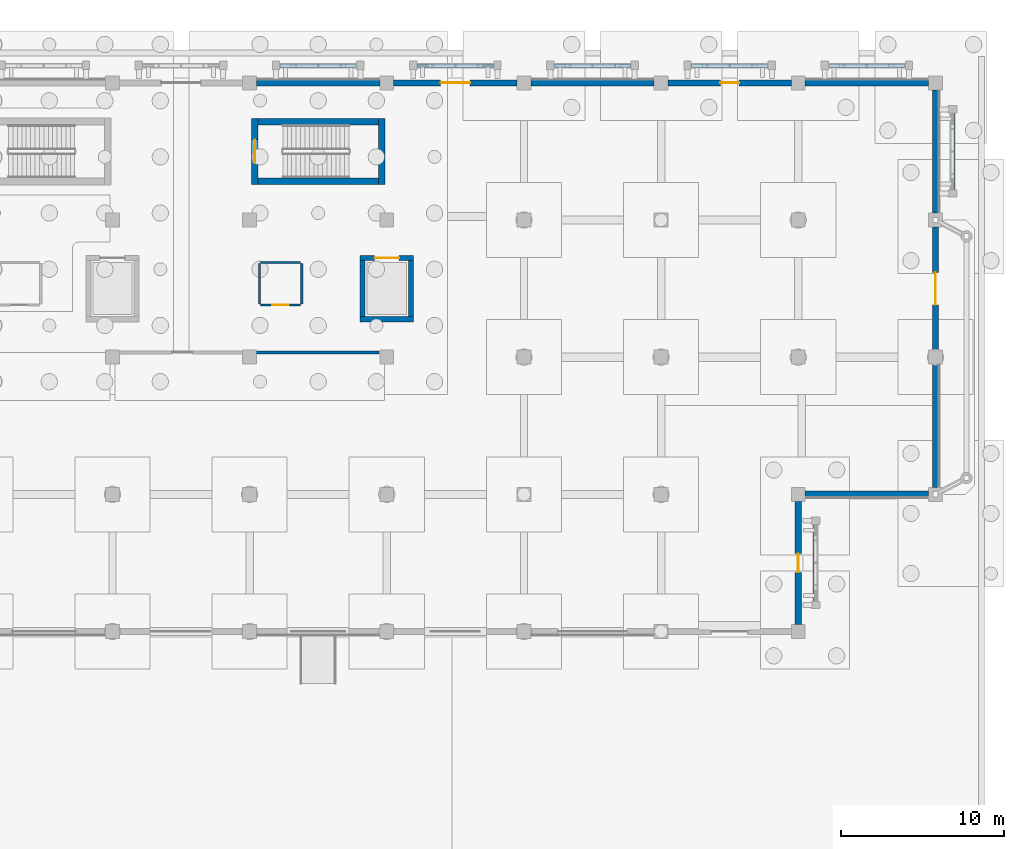
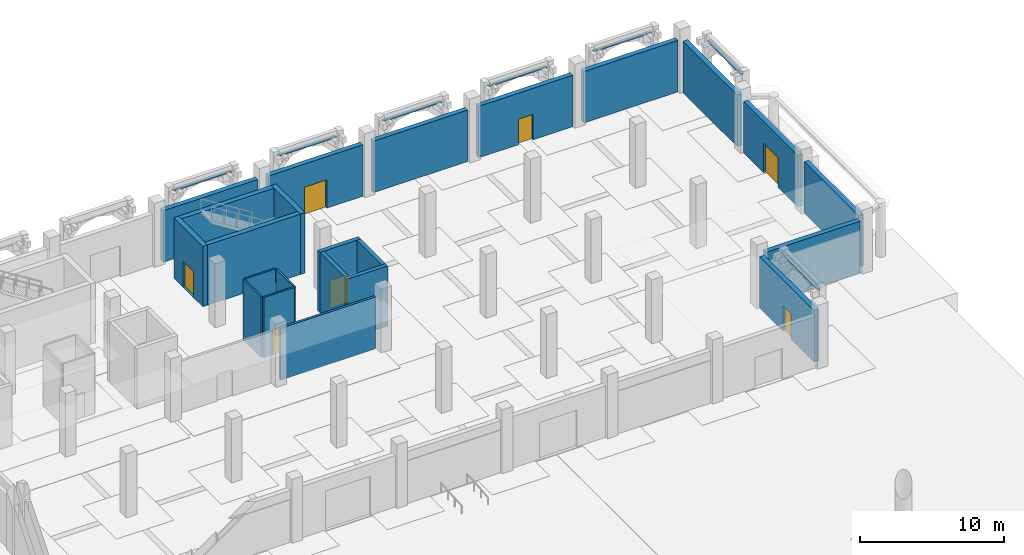
# One storey, part 73 of 98: 30 walls, 7 doors, 7 openings.
"""IFC4 building model written with IfcOpenShell, lengths in metres."""

from ifc_helpers import new_model, si_unit, direction, frame, frame_2d, origin, place, context, subcontext, project, spatial, rectangle, extrude, material, layer, layer_set, type_object, element, fill, save


model = new_model("IFC4")

# Units and contexts
model_context = context("Model", 3, precision=1e-05, world=origin(), true_north=direction((0.0, 1.0)))
body_context = subcontext(model_context, "Body", "Model", "MODEL_VIEW")
ifc_project = project(units=[si_unit("LENGTHUNIT", "METRE"), si_unit("AREAUNIT", "SQUARE_METRE"), si_unit("VOLUMEUNIT", "CUBIC_METRE"), si_unit("PLANEANGLEUNIT", "RADIAN"), si_unit("MASSUNIT", "GRAM", prefix="KILO")], contexts=[model_context])

# Site, building, storey
site_placement = place(None, origin())
site = spatial("IfcSite", under=ifc_project, at=site_placement, CompositionType="ELEMENT")
building_placement = place(site_placement, origin())
building = spatial("IfcBuilding", under=site, at=building_placement, Name="Xazarin Passage Department Store", CompositionType="ELEMENT")
storey_placement = place(building_placement, origin())
storey = spatial("IfcBuildingStorey", under=building, at=storey_placement, Name="L00", CompositionType="ELEMENT", Elevation=0.0)

# Walls
ifc_material_1 = material(Name="Buff Baku clay brick", Category="masonry")
ifc_layer_1 = layer(ifc_material_1, 0.18505859375)
ifc_layer_set_1 = layer_set([ifc_layer_1], Name="Buff Baku clay brick")
wall_type_1 = type_object("IfcWallType", Name="ARC-W-CMP185", PredefinedType="PARTITIONING", material=ifc_layer_set_1)
wall_1_placement = place(storey_placement, frame((127.919921875, 93.5, 0.0), z_axis=(0.0, 0.0, 1.0), x_axis=(1.0, 0.0, 0.0)))
element("IfcWall", 1, at=wall_1_placement, inside=storey, type_object=wall_type_1, Name="L00 Mechanical Plant Room Front Wall 0082", PredefinedType="PARTITIONING", context=body_context, shape_type="SweptSolid", body=[
    extrude(rectangle(XDim=7.610107421875, YDim=0.18505859375, at=frame_2d((3.80517578125, 0.0))), origin(), (0.0, 0.0, 1.0), 4.39990234375),
])
ifc_material_2 = material(Name="Concrete C35/45", Category="concrete")
ifc_layer_2 = layer(ifc_material_2, 0.3798828125)
ifc_layer_set_2 = layer_set([ifc_layer_2], Name="Concrete C35/45")
wall_type_2 = type_object("IfcWallType", Name="ARC-W-DCK380", PredefinedType="SOLIDWALL", material=ifc_layer_set_2)
for number, where, z_axis, x_axis, name in (
    (2, (161.625, 84.800048828125, 0.0), (0.0, 0.0, 1.0), (1.0, 0.0, 0.0), "L00 V4 Exterior Wall 254"),
    (3, (128.02490234375, 110.0, 0.0), (0.0, 0.0, 1.0), (1.0, 0.0, 0.0), "L00 V4 Exterior Wall 258"),
):
    element("IfcWall", number, at=place(storey_placement, frame(where, z_axis=z_axis, x_axis=x_axis)), inside=storey, type_object=wall_type_2, Name=name, PredefinedType="SOLIDWALL", context=body_context, shape_type="SweptSolid", body=[
        extrude(rectangle(XDim=7.550048828125, YDim=0.3798828125, at=frame_2d((3.77490234375, 0.0))), origin(), (0.0, 0.0, 1.0), 4.35009765625),
    ])

# Wall, opening, door
wall_2_placement = place(storey_placement, frame((136.425048828125, 110.0, 0.0), z_axis=(0.0, 0.0, 1.0), x_axis=(1.0, 0.0, 0.0)))
wall_2 = element("IfcWall", 4, at=wall_2_placement, inside=storey, type_object=wall_type_2, Name="L00 V4 Exterior Wall 259", PredefinedType="SOLIDWALL", context=body_context, shape_type="SweptSolid", body=[
    extrude(rectangle(XDim=7.550048828125, YDim=0.3798828125, at=frame_2d((3.77490234375, 0.0))), origin(), (0.0, 0.0, 1.0), 4.35009765625),
])
opening_1_placement = place(wall_2_placement, frame((2.875, 0.0, 0.0)))
opening_1 = element("IfcOpeningElement", 5, at=opening_1_placement, cuts=wall_2, Name="Opening ED4", PredefinedType="OPENING", context=body_context, shape_type="SweptSolid", body=[
    extrude(rectangle(XDim=1.800048828125, YDim=2.39990234375, at=frame_2d((0.89990234375, 1.199951171875))), frame((0.0, 0.199951171875, 0.0), z_axis=(0.0, -1.0, 0.0), x_axis=(1.0, 0.0, 0.0)), (0.0, 0.0, 1.0), 0.39990234375),
])
ifc_material_3 = material(Name="Bronze anodised aluminium", Category="aluminium")
door_type_1 = type_object("IfcDoorType", Name="ARC-DR-ENT180", OperationType="NOTDEFINED", PredefinedType="DOOR", material=ifc_material_3)
door_1_placement = place(opening_1_placement, origin())
door_1 = element("IfcDoor", 6, at=door_1_placement, inside=storey, type_object=door_type_1, Name="DR-EXT-027", OperationType="DOUBLE_DOOR_SINGLE_SWING", OverallHeight=2.39990234375, OverallWidth=1.800048828125, PredefinedType="DOOR", context=body_context, shape_type="SweptSolid", body=[
    extrude(rectangle(XDim=1.800048828125, YDim=2.39990234375, at=frame_2d((0.89990234375, 1.199951171875))), frame((0.0, 0.02490234375, 0.0), z_axis=(0.0, -1.0, 0.0), x_axis=(1.0, 0.0, 0.0)), (0.0, 0.0, 1.0), 0.050048828125),
])
fill(opening_1, door_1)

# Wall
wall_3_placement = place(storey_placement, frame((144.824951171875, 110.0, 0.0), z_axis=(0.0, 0.0, 1.0), x_axis=(1.0, 0.0, 0.0)))
element("IfcWall", 7, at=wall_3_placement, inside=storey, type_object=wall_type_2, Name="L00 V4 Exterior Wall 260", PredefinedType="SOLIDWALL", context=body_context, shape_type="SweptSolid", body=[
    extrude(rectangle(XDim=7.550048828125, YDim=0.3798828125, at=frame_2d((3.77490234375, 0.0))), origin(), (0.0, 0.0, 1.0), 4.35009765625),
])

# Wall, opening, door
wall_4_placement = place(storey_placement, frame((153.22509765625, 110.0, 0.0), z_axis=(0.0, 0.0, 1.0), x_axis=(1.0, 0.0, 0.0)))
wall_4 = element("IfcWall", 8, at=wall_4_placement, inside=storey, type_object=wall_type_2, Name="L00 V4 Exterior Wall 261", PredefinedType="SOLIDWALL", context=body_context, shape_type="SweptSolid", body=[
    extrude(rectangle(XDim=7.5498046875, YDim=0.3798828125, at=frame_2d((3.77490234375, 0.0))), origin(), (0.0, 0.0, 1.0), 4.35009765625),
])
opening_2_placement = place(wall_4_placement, frame((3.199951171875, 0.0, 0.0)))
opening_2 = element("IfcOpeningElement", 9, at=opening_2_placement, cuts=wall_4, Name="Opening ED7", PredefinedType="OPENING", context=body_context, shape_type="SweptSolid", body=[
    extrude(rectangle(XDim=1.14990234375, YDim=2.14990234375, at=frame_2d((0.574951171875, 1.074951171875))), frame((0.0, 0.199951171875, 0.0), z_axis=(0.0, -1.0, 0.0), x_axis=(1.0, 0.0, 0.0)), (0.0, 0.0, 1.0), 0.39990234375),
])
ifc_material_4 = material(Name="Steel S355", Category="steel")
door_type_2 = type_object("IfcDoorType", Name="ARC-DR-EXT115", OperationType="NOTDEFINED", PredefinedType="DOOR", material=ifc_material_4)
door_2_placement = place(opening_2_placement, origin())
door_2 = element("IfcDoor", 10, at=door_2_placement, inside=storey, type_object=door_type_2, Name="DR-EXT-028", OperationType="SINGLE_SWING_LEFT", OverallHeight=2.14990234375, OverallWidth=1.14990234375, PredefinedType="DOOR", context=body_context, shape_type="SweptSolid", body=[
    extrude(rectangle(XDim=1.14990234375, YDim=2.14990234375, at=frame_2d((0.574951171875, 1.074951171875))), frame((0.0, 0.02490234375, 0.0), z_axis=(0.0, -1.0, 0.0), x_axis=(1.0, 0.0, 0.0)), (0.0, 0.0, 1.0), 0.050048828125),
])
fill(opening_2, door_2)

# Wall
wall_5_placement = place(storey_placement, frame((161.625, 110.0, 0.0), z_axis=(0.0, 0.0, 1.0), x_axis=(1.0, 0.0, 0.0)))
element("IfcWall", 11, at=wall_5_placement, inside=storey, type_object=wall_type_2, Name="L00 V4 Exterior Wall 262", PredefinedType="SOLIDWALL", context=body_context, shape_type="SweptSolid", body=[
    extrude(rectangle(XDim=7.550048828125, YDim=0.3798828125, at=frame_2d((3.77490234375, 0.0))), origin(), (0.0, 0.0, 1.0), 4.35009765625),
])

# Wall, opening, door
wall_6_placement = place(storey_placement, frame((161.199951171875, 76.824951171875, 0.0), z_axis=(0.0, 0.0, 1.0), x_axis=(0.0, 1.0, 0.0)))
wall_6 = element("IfcWall", 12, at=wall_6_placement, inside=storey, type_object=wall_type_2, Name="L00 V4 Exterior Wall 267", PredefinedType="SOLIDWALL", context=body_context, shape_type="SweptSolid", body=[
    extrude(rectangle(XDim=7.550048828125, YDim=0.3798828125, at=frame_2d((3.77490234375, 0.0))), origin(), (0.0, 0.0, 1.0), 4.35009765625),
])
opening_3_placement = place(wall_6_placement, frame((3.199951171875, 0.0, 0.0)))
opening_3 = element("IfcOpeningElement", 13, at=opening_3_placement, cuts=wall_6, Name="Opening ED7", PredefinedType="OPENING", context=body_context, shape_type="SweptSolid", body=[
    extrude(rectangle(XDim=1.14990234375, YDim=2.14990234375, at=frame_2d((0.574951171875, 1.074951171875))), frame((0.0, 0.199951171875, 0.0), z_axis=(0.0, -1.0, 0.0), x_axis=(1.0, 0.0, 0.0)), (0.0, 0.0, 1.0), 0.39990234375),
])
door_3_placement = place(opening_3_placement, origin())
door_3 = element("IfcDoor", 14, at=door_3_placement, inside=storey, type_object=door_type_2, Name="DR-EXT-029", OperationType="SINGLE_SWING_RIGHT", OverallHeight=2.14990234375, OverallWidth=1.14990234375, PredefinedType="DOOR", context=body_context, shape_type="SweptSolid", body=[
    extrude(rectangle(XDim=1.14990234375, YDim=2.14990234375, at=frame_2d((0.574951171875, 1.074951171875))), frame((0.0, 0.02490234375, 0.0), z_axis=(0.0, -1.0, 0.0), x_axis=(1.0, 0.0, 0.0)), (0.0, 0.0, 1.0), 0.050048828125),
])
fill(opening_3, door_3)

# Wall
wall_7_placement = place(storey_placement, frame((169.60009765625, 85.22509765625, 0.0), z_axis=(0.0, 0.0, 1.0), x_axis=(0.0, 1.0, 0.0)))
element("IfcWall", 15, at=wall_7_placement, inside=storey, type_object=wall_type_2, Name="L00 V4 Exterior Wall 268", PredefinedType="SOLIDWALL", context=body_context, shape_type="SweptSolid", body=[
    extrude(rectangle(XDim=7.5498046875, YDim=0.3798828125, at=frame_2d((3.77490234375, 0.0))), origin(), (0.0, 0.0, 1.0), 4.35009765625),
])

# Wall, opening, door
wall_8_placement = place(storey_placement, frame((169.60009765625, 93.625, 0.0), z_axis=(0.0, 0.0, 1.0), x_axis=(0.0, 1.0, 0.0)))
wall_8 = element("IfcWall", 16, at=wall_8_placement, inside=storey, type_object=wall_type_2, Name="L00 V4 Exterior Wall 269", PredefinedType="SOLIDWALL", context=body_context, shape_type="SweptSolid", body=[
    extrude(rectangle(XDim=7.550048828125, YDim=0.3798828125, at=frame_2d((3.77490234375, 0.0))), origin(), (0.0, 0.0, 1.0), 4.35009765625),
])
opening_4_placement = place(wall_8_placement, frame((2.77490234375, 0.0, 0.0)))
opening_4 = element("IfcOpeningElement", 17, at=opening_4_placement, cuts=wall_8, Name="Opening ED3", PredefinedType="OPENING", context=body_context, shape_type="SweptSolid", body=[
    extrude(rectangle(XDim=2.0, YDim=2.5, at=frame_2d((1.0, 1.25))), frame((0.0, 0.199951171875, 0.0), z_axis=(0.0, -1.0, 0.0), x_axis=(1.0, 0.0, 0.0)), (0.0, 0.0, 1.0), 0.39990234375),
])
door_type_3 = type_object("IfcDoorType", Name="ARC-DR-ENT200", OperationType="NOTDEFINED", PredefinedType="DOOR", material=ifc_material_3)
door_4_placement = place(opening_4_placement, origin())
door_4 = element("IfcDoor", 18, at=door_4_placement, inside=storey, type_object=door_type_3, Name="DR-EXT-030", OperationType="DOUBLE_DOOR_SINGLE_SWING", OverallHeight=2.5, OverallWidth=2.0, PredefinedType="DOOR", context=body_context, shape_type="SweptSolid", body=[
    extrude(rectangle(XDim=2.0, YDim=2.5, at=frame_2d((1.0, 1.25))), frame((0.0, 0.02490234375, 0.0), z_axis=(0.0, -1.0, 0.0), x_axis=(1.0, 0.0, 0.0)), (0.0, 0.0, 1.0), 0.050048828125),
])
fill(opening_4, door_4)

# Walls
wall_9_placement = place(storey_placement, frame((169.60009765625, 102.02490234375, 0.0), z_axis=(0.0, 0.0, 1.0), x_axis=(0.0, 1.0, 0.0)))
element("IfcWall", 19, at=wall_9_placement, inside=storey, type_object=wall_type_2, Name="L00 V4 Exterior Wall 270", PredefinedType="SOLIDWALL", context=body_context, shape_type="SweptSolid", body=[
    extrude(rectangle(XDim=7.550048828125, YDim=0.3798828125, at=frame_2d((3.77490234375, 0.0))), origin(), (0.0, 0.0, 1.0), 4.35009765625),
])
ifc_material_5 = material(Name="Precast concrete C40/50", Category="concrete")
ifc_layer_3 = layer(ifc_material_5, 0.2099609375)
ifc_layer_set_3 = layer_set([ifc_layer_3], Name="Precast concrete C40/50")
wall_type_3 = type_object("IfcWallType", Name="ARC-W-PAR210", PredefinedType="PARAPET", material=ifc_layer_set_3)
for number, where, z_axis, x_axis, name in (
    (20, (129.469970703125, 111.050048828125, 4.780029296875), (0.0, 0.0, 1.0), (1.0, 0.0, 0.0), "L00 V4 Pierced-Arch Spandrel Lintel 0157"),
    (21, (137.8701171875, 111.050048828125, 4.780029296875), (0.0, 0.0, 1.0), (1.0, 0.0, 0.0), "L00 V4 Pierced-Arch Spandrel Lintel 0161"),
    (22, (146.27001953125, 111.050048828125, 4.780029296875), (0.0, 0.0, 1.0), (1.0, 0.0, 0.0), "L00 V4 Pierced-Arch Spandrel Lintel 0165"),
):
    element("IfcWall", number, at=place(storey_placement, frame(where, z_axis=z_axis, x_axis=x_axis)), inside=storey, type_object=wall_type_3, Name=name, PredefinedType="PARAPET", context=body_context, shape_type="SweptSolid", body=[
        extrude(rectangle(XDim=4.659912109375, YDim=0.2099609375, at=frame_2d((2.330078125, 0.0))), origin(), (0.0, 0.0, 1.0), 0.119873046875),
    ])
wall_10_placement = place(storey_placement, frame((154.669921875, 111.050048828125, 4.780029296875), z_axis=(0.0, 0.0, 1.0), x_axis=(1.0, 0.0, 0.0)))
element("IfcWall", 23, at=wall_10_placement, inside=storey, type_object=wall_type_3, Name="L00 V4 Pierced-Arch Spandrel Lintel 0167", PredefinedType="PARAPET", context=body_context, shape_type="SweptSolid", body=[
    extrude(rectangle(XDim=4.66015625, YDim=0.2099609375, at=frame_2d((2.330078125, 0.0))), origin(), (0.0, 0.0, 1.0), 0.119873046875),
])
for number, where, z_axis, x_axis, name in (
    (24, (163.070068359375, 111.050048828125, 4.780029296875), (0.0, 0.0, 1.0), (1.0, 0.0, 0.0), "L00 V4 Pierced-Arch Spandrel Lintel 0169"),
    (25, (162.25, 78.27001953125, 4.780029296875), (0.0, 0.0, 1.0), (0.0, 1.0, 0.0), "L00 V4 Pierced-Arch Spandrel Lintel 0171"),
    (26, (170.64990234375, 103.469970703125, 4.780029296875), (0.0, 0.0, 1.0), (0.0, 1.0, 0.0), "L00 V4 Pierced-Arch Spandrel Lintel 0172"),
):
    element("IfcWall", number, at=place(storey_placement, frame(where, z_axis=z_axis, x_axis=x_axis)), inside=storey, type_object=wall_type_3, Name=name, PredefinedType="PARAPET", context=body_context, shape_type="SweptSolid", body=[
        extrude(rectangle(XDim=4.659912109375, YDim=0.2099609375, at=frame_2d((2.330078125, 0.0))), origin(), (0.0, 0.0, 1.0), 0.119873046875),
    ])

# Wall, opening, door
ifc_material_6 = material(Name="Moisture-resistant masonry partition", Category="masonry")
ifc_layer_4 = layer(ifc_material_6, 0.139892578125)
ifc_layer_set_4 = layer_set([ifc_layer_4], Name="Moisture-resistant masonry partition")
wall_type_4 = type_object("IfcWallType", Name="ARC-W-PRT140", PredefinedType="PARTITIONING", material=ifc_layer_set_4)
wall_11_placement = place(storey_placement, frame((128.27001953125, 96.39990234375, 0.0), z_axis=(0.0, 0.0, 1.0), x_axis=(1.0, 0.0, 0.0)))
wall_11 = element("IfcWall", 27, at=wall_11_placement, inside=storey, type_object=wall_type_4, Name="L00 Accessible WC 0077", PredefinedType="PARTITIONING", context=body_context, shape_type="SweptSolid", body=[
    extrude(rectangle(XDim=2.4599609375, YDim=0.139892578125, at=frame_2d((1.22998046875, 0.0))), origin(), (0.0, 0.0, 1.0), 5.10009765625),
])
opening_5_placement = place(wall_11_placement, frame((0.719970703125, 0.0, 0.0)))
opening_5 = element("IfcOpeningElement", 28, at=opening_5_placement, cuts=wall_11, Name="Opening ID2", PredefinedType="OPENING", context=body_context, shape_type="SweptSolid", body=[
    extrude(rectangle(XDim=1.02001953125, YDim=2.14990234375, at=frame_2d((0.510009765625, 1.074951171875))), frame((0.0, 0.079833984375, 0.0), z_axis=(0.0, -1.0, 0.0), x_axis=(1.0, 0.0, 0.0)), (0.0, 0.0, 1.0), 0.159912109375),
])
ifc_material_7 = material(Name="Timber acoustic leaf", Category="wood")
door_type_4 = type_object("IfcDoorType", Name="ARC-DR-AWC102", OperationType="NOTDEFINED", PredefinedType="DOOR", material=ifc_material_7)
door_5_placement = place(opening_5_placement, origin())
door_5 = element("IfcDoor", 29, at=door_5_placement, inside=storey, type_object=door_type_4, Name="DR-INT-L00-0077", OperationType="SINGLE_SWING_RIGHT", OverallHeight=2.14990234375, OverallWidth=1.02001953125, PredefinedType="DOOR", context=body_context, shape_type="SweptSolid", body=[
    extrude(rectangle(XDim=1.02001953125, YDim=2.14990234375, at=frame_2d((0.510009765625, 1.074951171875))), frame((0.0, 0.02490234375, 0.0), z_axis=(0.0, -1.0, 0.0), x_axis=(1.0, 0.0, 0.0)), (0.0, 0.0, 1.0), 0.050048828125),
])
fill(opening_5, door_5)

# Walls
for number, where, z_axis, x_axis, name in (
    (30, (128.27001953125, 99.0, 0.0), (0.0, 0.0, 1.0), (1.0, 0.0, 0.0), "L00 Accessible WC Back Wall 0078"),
    (31, (128.199951171875, 96.469970703125, 0.0), (0.0, 0.0, 1.0), (0.0, 1.0, 0.0), "L00 Accessible WC Side Wall 0079"),
    (32, (130.800048828125, 96.469970703125, 0.0), (0.0, 0.0, 1.0), (0.0, 1.0, 0.0), "L00 Accessible WC Side Wall 0080"),
):
    element("IfcWall", number, at=place(storey_placement, frame(where, z_axis=z_axis, x_axis=x_axis)), inside=storey, type_object=wall_type_4, Name=name, PredefinedType="PARTITIONING", context=body_context, shape_type="SweptSolid", body=[
        extrude(rectangle(XDim=2.4599609375, YDim=0.139892578125, at=frame_2d((1.22998046875, 0.0))), origin(), (0.0, 0.0, 1.0), 5.10009765625),
    ])
ifc_material_8 = material(Name="Concrete C40/50", Category="concrete")
ifc_layer_5 = layer(ifc_material_8, 0.31005859375)
ifc_layer_set_5 = layer_set([ifc_layer_5], Name="Concrete C40/50")
wall_type_5 = type_object("IfcWallType", Name="STR-W-LFT310", PredefinedType="SHEAR", material=ifc_layer_set_5)
wall_12_placement = place(storey_placement, frame((134.3701171875, 95.52490234375, 0.0), z_axis=(0.0, 0.0, 1.0), x_axis=(1.0, 0.0, 0.0)))
element("IfcWall", 33, at=wall_12_placement, inside=storey, type_object=wall_type_5, Name="L00 Lift GL2 Shaft Wall South", PredefinedType="SHEAR", context=body_context, shape_type="SweptSolid", body=[
    extrude(rectangle(XDim=3.259765625, YDim=0.31005859375, at=frame_2d((1.6298828125, 0.0))), origin(), (0.0, 0.0, 1.0), 5.10009765625),
])

# Wall, opening, door
wall_13_placement = place(storey_placement, frame((134.3701171875, 99.27490234375, 0.0), z_axis=(0.0, 0.0, 1.0), x_axis=(1.0, 0.0, 0.0)))
wall_13 = element("IfcWall", 34, at=wall_13_placement, inside=storey, type_object=wall_type_5, Name="L00 Lift GL2 Shaft Wall North", PredefinedType="SHEAR", context=body_context, shape_type="SweptSolid", body=[
    extrude(rectangle(XDim=3.259765625, YDim=0.31005859375, at=frame_2d((1.6298828125, 0.0))), origin(), (0.0, 0.0, 1.0), 5.10009765625),
])
opening_6_placement = place(wall_13_placement, frame((0.8798828125, 0.0, 0.0)))
opening_6 = element("IfcOpeningElement", 35, at=opening_6_placement, cuts=wall_13, Name="Opening LD-GL2-L00", PredefinedType="OPENING", context=body_context, shape_type="SweptSolid", body=[
    extrude(rectangle(XDim=1.5, YDim=2.35009765625, at=frame_2d((0.75, 1.175048828125))), frame((0.0, 0.1650390625, 0.0), z_axis=(0.0, -1.0, 0.0), x_axis=(1.0, 0.0, 0.0)), (0.0, 0.0, 1.0), 0.330078125),
])
door_type_5 = type_object("IfcDoorType", Name="ARC-DR-LD150", OperationType="NOTDEFINED", PredefinedType="DOOR", material=ifc_material_4)
door_6_placement = place(opening_6_placement, origin())
door_6 = element("IfcDoor", 36, at=door_6_placement, inside=storey, type_object=door_type_5, Name="DR-LD-GL2-L00", OperationType="SLIDING_TO_LEFT", OverallHeight=2.35009765625, OverallWidth=1.5, PredefinedType="DOOR", context=body_context, shape_type="SweptSolid", body=[
    extrude(rectangle(XDim=1.5, YDim=2.35009765625, at=frame_2d((0.75, 1.175048828125))), frame((0.0, 0.02490234375, 0.0), z_axis=(0.0, -1.0, 0.0), x_axis=(1.0, 0.0, 0.0)), (0.0, 0.0, 1.0), 0.050048828125),
])
fill(opening_6, door_6)

# Walls
for number, where, z_axis, x_axis, name in (
    (37, (134.52490234375, 95.679931640625, 0.0), (0.0, 0.0, 1.0), (0.0, 1.0, 0.0), "L00 Lift GL2 Shaft Wall West"),
    (38, (137.47509765625, 95.679931640625, 0.0), (0.0, 0.0, 1.0), (0.0, 1.0, 0.0), "L00 Lift GL2 Shaft Wall East"),
):
    element("IfcWall", number, at=place(storey_placement, frame(where, z_axis=z_axis, x_axis=x_axis)), inside=storey, type_object=wall_type_5, Name=name, PredefinedType="SHEAR", context=body_context, shape_type="SweptSolid", body=[
        extrude(rectangle(XDim=3.440185546875, YDim=0.31005859375, at=frame_2d((1.72021484375, 0.0))), origin(), (0.0, 0.0, 1.0), 5.10009765625),
    ])

# Wall, opening, door
ifc_layer_6 = layer(ifc_material_8, 0.389892578125)
ifc_layer_set_6 = layer_set([ifc_layer_6], Name="Concrete C40/50")
wall_type_6 = type_object("IfcWallType", Name="STR-W-SHR390", PredefinedType="SHEAR", material=ifc_layer_set_6)
wall_14_placement = place(storey_placement, frame((127.905029296875, 103.7900390625, 0.0), z_axis=(0.0, 0.0, 1.0), x_axis=(0.0, 1.0, 0.0)))
wall_14 = element("IfcWall", 39, at=wall_14_placement, inside=storey, type_object=wall_type_6, Name="L00 Core K11 West Shear Wall", PredefinedType="SHEAR", context=body_context, shape_type="SweptSolid", body=[
    extrude(rectangle(XDim=4.02001953125, YDim=0.389892578125, at=frame_2d((2.010009765625, 0.0))), origin(), (0.0, 0.0, 1.0), 5.10009765625),
])
opening_7_placement = place(wall_14_placement, frame((1.284912109375, 0.0, 0.0)))
opening_7 = element("IfcOpeningElement", 40, at=opening_7_placement, cuts=wall_14, Name="Opening FD1", PredefinedType="OPENING", context=body_context, shape_type="SweptSolid", body=[
    extrude(rectangle(XDim=1.449951171875, YDim=2.199951171875, at=frame_2d((0.72509765625, 1.10009765625))), frame((0.0, 0.204833984375, 0.0), z_axis=(0.0, -1.0, 0.0), x_axis=(1.0, 0.0, 0.0)), (0.0, 0.0, 1.0), 0.409912109375),
])
door_type_6 = type_object("IfcDoorType", Name="ARC-DR-STR145", OperationType="NOTDEFINED", PredefinedType="DOOR", material=ifc_material_4)
door_7_placement = place(opening_7_placement, origin())
door_7 = element("IfcDoor", 41, at=door_7_placement, inside=storey, type_object=door_type_6, Name="DR-STR-K11-L00", OperationType="SINGLE_SWING_RIGHT", OverallHeight=2.199951171875, OverallWidth=1.449951171875, PredefinedType="DOOR", context=body_context, shape_type="SweptSolid", body=[
    extrude(rectangle(XDim=1.449951171875, YDim=2.199951171875, at=frame_2d((0.72509765625, 1.10009765625))), frame((0.0, 0.02490234375, 0.0), z_axis=(0.0, -1.0, 0.0), x_axis=(1.0, 0.0, 0.0)), (0.0, 0.0, 1.0), 0.050048828125),
])
fill(opening_7, door_7)

# Walls
wall_15_placement = place(storey_placement, frame((135.695068359375, 103.7900390625, 0.0), z_axis=(0.0, 0.0, 1.0), x_axis=(0.0, 1.0, 0.0)))
element("IfcWall", 42, at=wall_15_placement, inside=storey, type_object=wall_type_6, Name="L00 Core K11 East Shear Wall", PredefinedType="SHEAR", context=body_context, shape_type="SweptSolid", body=[
    extrude(rectangle(XDim=4.02001953125, YDim=0.389892578125, at=frame_2d((2.010009765625, 0.0))), origin(), (0.0, 0.0, 1.0), 5.10009765625),
])
for number, where, z_axis, x_axis, name in (
    (43, (128.10009765625, 103.985107421875, 0.0), (0.0, 0.0, 1.0), (1.0, 0.0, 0.0), "L00 Core K11 South Shear Wall"),
    (44, (128.10009765625, 107.614990234375, 0.0), (0.0, 0.0, 1.0), (1.0, 0.0, 0.0), "L00 Core K11 North Shear Wall"),
):
    element("IfcWall", number, at=place(storey_placement, frame(where, z_axis=z_axis, x_axis=x_axis)), inside=storey, type_object=wall_type_6, Name=name, PredefinedType="SHEAR", context=body_context, shape_type="SweptSolid", body=[
        extrude(rectangle(XDim=7.39990234375, YDim=0.389892578125, at=frame_2d((3.699951171875, 0.0))), origin(), (0.0, 0.0, 1.0), 5.10009765625),
    ])

save(model, "model.ifc")
